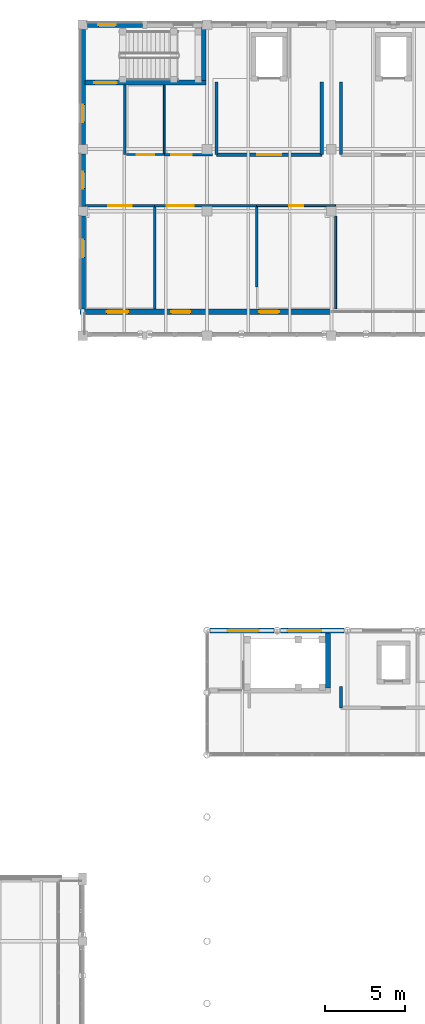
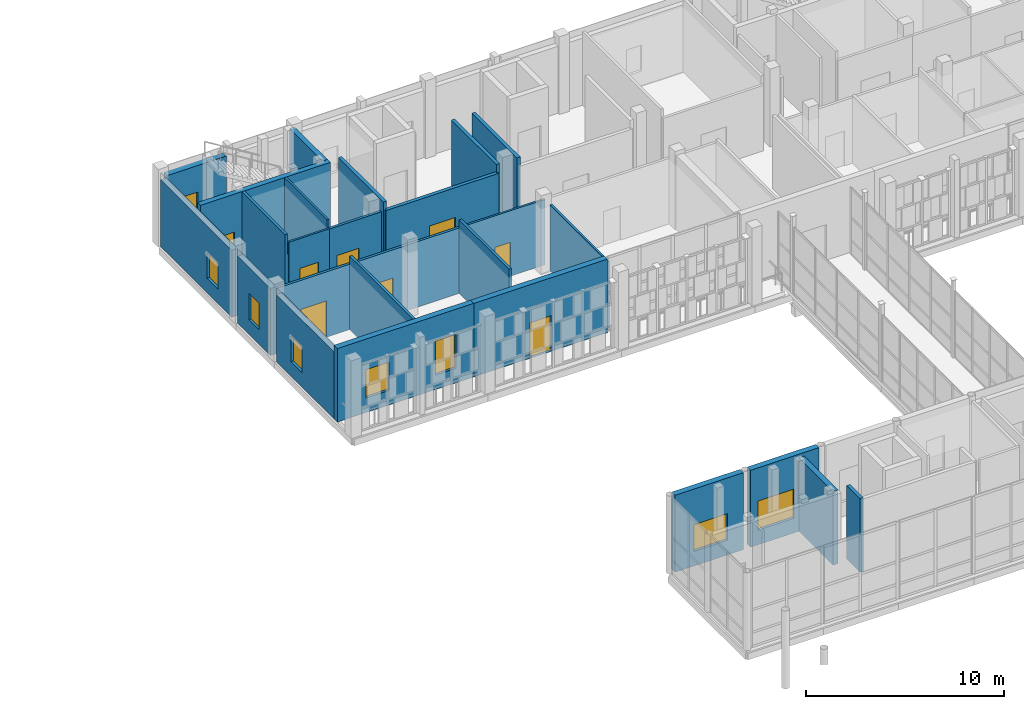
# One storey, part 106 of 138: 26 walls, 8 doors, 8 windows, 16 openings.
"""IFC4 building model written with IfcOpenShell, lengths in metres."""

from ifc_helpers import new_model, si_unit, direction, frame, frame_2d, origin, place, context, subcontext, project, spatial, rectangle, extrude, material, layer, layer_set, type_object, element, fill, save


model = new_model("IFC4")

# Units and contexts
model_context = context("Model", 3, precision=1e-05, world=origin(), true_north=direction((0.0, 1.0)))
body_context = subcontext(model_context, "Body", "Model", "MODEL_VIEW")
ifc_project = project(units=[si_unit("LENGTHUNIT", "METRE"), si_unit("AREAUNIT", "SQUARE_METRE"), si_unit("VOLUMEUNIT", "CUBIC_METRE"), si_unit("PLANEANGLEUNIT", "RADIAN"), si_unit("MASSUNIT", "GRAM", prefix="KILO")], contexts=[model_context])

# Site, building, storey
site_placement = place(None, origin())
site = spatial("IfcSite", under=ifc_project, at=site_placement, CompositionType="ELEMENT")
building_placement = place(site_placement, origin())
building = spatial("IfcBuilding", under=site, at=building_placement, Name="Celorna Specialist Clinic", CompositionType="ELEMENT")
storey_placement = place(building_placement, frame((0.0, 0.0, 4.800048828125)))
storey = spatial("IfcBuildingStorey", under=building, at=storey_placement, Name="L01", CompositionType="ELEMENT", Elevation=4.800048828125)

# Wall, opening, window
ifc_material_1 = material(Name="Pero Pinheiro Lioz limestone insulated masonry", Category="masonry")
ifc_layer_1 = layer(ifc_material_1, 0.340087890625, Name="Pero Pinheiro Lioz limestone insulated masonry")
ifc_layer_set_1 = layer_set([ifc_layer_1], Name="Pero Pinheiro Lioz limestone insulated masonry")
wall_type_1 = type_object("IfcWallType", Name="WT-07", PredefinedType="STANDARD", material=ifc_layer_set_1)
wall_1_placement = place(storey_placement, frame((54.80322265625, 78.0, 0.0), z_axis=(0.0, 0.0, 1.0), x_axis=(1.0, 0.0, 0.0)))
wall_1 = element("IfcWall", 1, at=wall_1_placement, inside=storey, type_object=wall_type_1, Name="External facade wall WT-07 #91", PredefinedType="STANDARD", context=body_context, shape_type="SweptSolid", body=[
    extrude(rectangle(XDim=3.99365234375, YDim=0.340087890625, at=frame_2d((1.996826171875, 0.0))), origin(), (0.0, 0.0, 1.0), 4.75),
])
opening_1_placement = place(wall_1_placement, frame((1.105224609375, 0.0, 0.89990234375)))
opening_1 = element("IfcOpeningElement", 2, at=opening_1_placement, cuts=wall_1, Name="Opening WN-15", PredefinedType="OPENING", context=body_context, shape_type="SweptSolid", body=[
    extrude(rectangle(XDim=1.949951171875, YDim=1.64990234375, at=frame_2d((0.97509765625, 0.824951171875))), frame((0.0, 0.179931640625, 0.0), z_axis=(0.0, -1.0, 0.0), x_axis=(1.0, 0.0, 0.0)), (0.0, 0.0, 1.0), 0.360107421875),
])
ifc_material_2 = material(Name="Screen-aligned modular clinic window")
window_type_1 = type_object("IfcWindowType", Name="WN-15", PartitioningType="SINGLE_PANEL", PredefinedType="WINDOW", material=ifc_material_2)
window_1_placement = place(opening_1_placement, origin())
window_1 = element("IfcWindow", 3, at=window_1_placement, inside=storey, type_object=window_type_1, Name="Facade window WN-15 #9", OverallHeight=1.64990234375, OverallWidth=1.949951171875, PartitioningType="SINGLE_PANEL", PredefinedType="WINDOW", context=body_context, shape_type="SweptSolid", body=[
    extrude(rectangle(XDim=1.949951171875, YDim=1.64990234375, at=frame_2d((0.97509765625, 0.824951171875))), frame((0.0, 0.030029296875, 0.0), z_axis=(0.0, -1.0, 0.0), x_axis=(1.0, 0.0, 0.0)), (0.0, 0.0, 1.0), 0.06005859375),
])
fill(opening_1, window_1)

wall_2_placement = place(storey_placement, frame((59.203125, 78.0, 0.0), z_axis=(0.0, 0.0, 1.0), x_axis=(1.0, 0.0, 0.0)))
wall_2 = element("IfcWall", 4, at=wall_2_placement, inside=storey, type_object=wall_type_1, Name="External facade wall WT-07 #92", PredefinedType="STANDARD", context=body_context, shape_type="SweptSolid", body=[
    extrude(rectangle(XDim=3.99365234375, YDim=0.340087890625, at=frame_2d((1.996826171875, 0.0))), origin(), (0.0, 0.0, 1.0), 4.75),
])
opening_2_placement = place(wall_2_placement, frame((0.453369140625, 0.0, 0.89990234375)))
opening_2 = element("IfcOpeningElement", 5, at=opening_2_placement, cuts=wall_2, Name="Opening WN-17", PredefinedType="OPENING", context=body_context, shape_type="SweptSolid", body=[
    extrude(rectangle(XDim=2.10009765625, YDim=1.800048828125, at=frame_2d((1.050048828125, 0.89990234375))), frame((0.0, 0.179931640625, 0.0), z_axis=(0.0, -1.0, 0.0), x_axis=(1.0, 0.0, 0.0)), (0.0, 0.0, 1.0), 0.360107421875),
])
ifc_material_3 = material(Name="Outpatient waiting bay window")
window_type_2 = type_object("IfcWindowType", Name="WN-17", PartitioningType="SINGLE_PANEL", PredefinedType="WINDOW", material=ifc_material_3)
window_2_placement = place(opening_2_placement, origin())
window_2 = element("IfcWindow", 6, at=window_2_placement, inside=storey, type_object=window_type_2, Name="Facade window WN-17 #10", OverallHeight=1.800048828125, OverallWidth=2.10009765625, PartitioningType="SINGLE_PANEL", PredefinedType="WINDOW", context=body_context, shape_type="SweptSolid", body=[
    extrude(rectangle(XDim=2.10009765625, YDim=1.800048828125, at=frame_2d((1.050048828125, 0.89990234375))), frame((0.0, 0.030029296875, 0.0), z_axis=(0.0, -1.0, 0.0), x_axis=(1.0, 0.0, 0.0)), (0.0, 0.0, 1.0), 0.06005859375),
])
fill(opening_2, window_2)

# Wall, openings, windows
wall_3_placement = place(storey_placement, frame((54.60009765625, 98.0, 0.0), z_axis=(0.0, 0.0, 1.0), x_axis=(-1.0, 0.0, 0.0)))
wall_3 = element("IfcWall", 7, at=wall_3_placement, inside=storey, type_object=wall_type_1, Name="External facade wall WT-07 #187", PredefinedType="STANDARD", context=body_context, shape_type="SweptSolid", body=[
    extrude(rectangle(XDim=7.97021484375, YDim=0.340087890625, at=frame_2d((3.985107421875, 0.0))), origin(), (0.0, 0.0, 1.0), 4.5400390625),
])
opening_3_placement = place(wall_3_placement, frame((1.050048828125, 0.0, 0.89990234375)))
opening_3 = element("IfcOpeningElement", 8, at=opening_3_placement, cuts=wall_3, Name="Opening WN-06", PredefinedType="OPENING", context=body_context, shape_type="SweptSolid", body=[
    extrude(rectangle(XDim=1.199951171875, YDim=2.10009765625, at=frame_2d((0.60009765625, 1.050048828125))), frame((0.0, 0.179931640625, 0.0), z_axis=(0.0, -1.0, 0.0), x_axis=(1.0, 0.0, 0.0)), (0.0, 0.0, 1.0), 0.360107421875),
])
opening_4_placement = place(wall_3_placement, frame((4.93994140625, 0.0, 0.89990234375)))
opening_4 = element("IfcOpeningElement", 9, at=opening_4_placement, cuts=wall_3, Name="Opening WN-07", PredefinedType="OPENING", context=body_context, shape_type="SweptSolid", body=[
    extrude(rectangle(XDim=1.35009765625, YDim=1.75, at=frame_2d((0.675048828125, 0.875))), frame((0.0, 0.179931640625, 0.0), z_axis=(0.0, -1.0, 0.0), x_axis=(1.0, 0.0, 0.0)), (0.0, 0.0, 1.0), 0.360107421875),
])
ifc_material_4 = material(Name="Thermally broken aluminium triple-glazed window", Category="aluminium")
window_type_3 = type_object("IfcWindowType", Name="WN-06", PartitioningType="SINGLE_PANEL", PredefinedType="WINDOW", material=ifc_material_4)
window_3_placement = place(opening_3_placement, origin())
window_3 = element("IfcWindow", 10, at=window_3_placement, inside=storey, type_object=window_type_3, Name="Facade window WN-06 #81", OverallHeight=2.10009765625, OverallWidth=1.199951171875, PartitioningType="SINGLE_PANEL", PredefinedType="WINDOW", context=body_context, shape_type="SweptSolid", body=[
    extrude(rectangle(XDim=1.199951171875, YDim=2.10009765625, at=frame_2d((0.60009765625, 1.050048828125))), frame((0.0, 0.030029296875, 0.0), z_axis=(0.0, -1.0, 0.0), x_axis=(1.0, 0.0, 0.0)), (0.0, 0.0, 1.0), 0.06005859375),
])
fill(opening_3, window_3)
window_type_4 = type_object("IfcWindowType", Name="WN-07", PartitioningType="SINGLE_PANEL", PredefinedType="WINDOW", material=ifc_material_4)
window_4_placement = place(opening_4_placement, origin())
window_4 = element("IfcWindow", 11, at=window_4_placement, inside=storey, type_object=window_type_4, Name="Facade window WN-07 #82", OverallHeight=1.75, OverallWidth=1.35009765625, PartitioningType="SINGLE_PANEL", PredefinedType="WINDOW", context=body_context, shape_type="SweptSolid", body=[
    extrude(rectangle(XDim=1.35009765625, YDim=1.75, at=frame_2d((0.675048828125, 0.875))), frame((0.0, 0.030029296875, 0.0), z_axis=(0.0, -1.0, 0.0), x_axis=(1.0, 0.0, 0.0)), (0.0, 0.0, 1.0), 0.06005859375),
])
fill(opening_4, window_4)

# Wall, opening, door
wall_4_placement = place(storey_placement, frame((62.39990234375, 98.0, 0.0), z_axis=(0.0, 0.0, 1.0), x_axis=(-1.0, 0.0, 0.0)))
wall_4 = element("IfcWall", 12, at=wall_4_placement, inside=storey, type_object=wall_type_1, Name="External facade wall WT-07 #188", PredefinedType="STANDARD", context=body_context, shape_type="SweptSolid", body=[
    extrude(rectangle(XDim=7.7998046875, YDim=0.340087890625, at=frame_2d((3.89990234375, 0.0))), origin(), (0.0, 0.0, 1.0), 4.5400390625),
])
opening_5_placement = place(wall_4_placement, frame((3.27490234375, 0.0, 0.0)))
opening_5 = element("IfcOpeningElement", 13, at=opening_5_placement, cuts=wall_4, Name="Opening DR-13", PredefinedType="OPENING", context=body_context, shape_type="SweptSolid", body=[
    extrude(rectangle(XDim=1.25, YDim=2.199951171875, at=frame_2d((0.625, 1.10009765625))), frame((0.0, 0.179931640625, 0.0), z_axis=(0.0, -1.0, 0.0), x_axis=(1.0, 0.0, 0.0)), (0.0, 0.0, 1.0), 0.360107421875),
])
ifc_material_5 = material(Name="Thermally broken glazed terrace door")
door_type_1 = type_object("IfcDoorType", Name="DR-13", OperationType="NOTDEFINED", PredefinedType="DOOR", material=ifc_material_5)
door_1_placement = place(opening_5_placement, frame((1.25, 0.0, 0.0), z_axis=(0.0, 0.0, 1.0), x_axis=(-1.0, 0.0, 0.0)))
door_1 = element("IfcDoor", 14, at=door_1_placement, inside=storey, type_object=door_type_1, Name="Terrace access door TER-V4-S1-L01", OperationType="SINGLE_SWING_RIGHT", OverallHeight=2.199951171875, OverallWidth=1.25, PredefinedType="DOOR", context=body_context, shape_type="SweptSolid", body=[
    extrude(rectangle(XDim=1.25, YDim=2.199951171875, at=frame_2d((0.625, 1.10009765625))), frame((0.0, 0.02490234375, 0.0), z_axis=(0.0, -1.0, 0.0), x_axis=(1.0, 0.0, 0.0)), (0.0, 0.0, 1.0), 0.050048828125),
])
fill(opening_5, door_1)

# Wall, opening, window
wall_5_placement = place(storey_placement, frame((47.10009765625, 116.0, 0.0), z_axis=(0.0, 0.0, 1.0), x_axis=(1.0, 0.0, 0.0)))
wall_5 = element("IfcWall", 15, at=wall_5_placement, inside=storey, type_object=wall_type_1, Name="External facade wall WT-07 #202", PredefinedType="STANDARD", context=body_context, shape_type="SweptSolid", body=[
    extrude(rectangle(XDim=3.449951171875, YDim=0.340087890625, at=frame_2d((1.72509765625, 0.0))), origin(), (0.0, 0.0, 1.0), 4.139892578125),
])
opening_6_placement = place(wall_5_placement, frame((0.68994140625, 0.0, 0.89990234375)))
opening_6 = element("IfcOpeningElement", 16, at=opening_6_placement, cuts=wall_5, Name="Opening WN-03", PredefinedType="OPENING", context=body_context, shape_type="SweptSolid", body=[
    extrude(rectangle(XDim=1.10009765625, YDim=1.60009765625, at=frame_2d((0.550048828125, 0.800048828125))), frame((0.0, 0.179931640625, 0.0), z_axis=(0.0, -1.0, 0.0), x_axis=(1.0, 0.0, 0.0)), (0.0, 0.0, 1.0), 0.360107421875),
])
window_type_5 = type_object("IfcWindowType", Name="WN-03", PartitioningType="SINGLE_PANEL", PredefinedType="WINDOW", material=ifc_material_4)
window_5_placement = place(opening_6_placement, origin())
window_5 = element("IfcWindow", 17, at=window_5_placement, inside=storey, type_object=window_type_5, Name="Facade window WN-03 #84", OverallHeight=1.60009765625, OverallWidth=1.10009765625, PartitioningType="SINGLE_PANEL", PredefinedType="WINDOW", context=body_context, shape_type="SweptSolid", body=[
    extrude(rectangle(XDim=1.10009765625, YDim=1.60009765625, at=frame_2d((0.550048828125, 0.800048828125))), frame((0.0, 0.030029296875, 0.0), z_axis=(0.0, -1.0, 0.0), x_axis=(1.0, 0.0, 0.0)), (0.0, 0.0, 1.0), 0.06005859375),
])
fill(opening_6, window_5)

wall_6_placement = place(storey_placement, frame((46.800048828125, 98.169921875, 0.0), z_axis=(0.0, 0.0, 1.0), x_axis=(0.0, 1.0, 0.0)))
wall_6 = element("IfcWall", 18, at=wall_6_placement, inside=storey, type_object=wall_type_1, Name="External facade wall WT-07 #224", PredefinedType="STANDARD", context=body_context, shape_type="SweptSolid", body=[
    extrude(rectangle(XDim=5.830078125, YDim=0.340087890625, at=frame_2d((2.9150390625, 0.0))), origin(), (0.0, 0.0, 1.0), 4.139892578125),
])
opening_7_placement = place(wall_6_placement, frame((3.2451171875, 0.0, 0.89990234375)))
opening_7 = element("IfcOpeningElement", 19, at=opening_7_placement, cuts=wall_6, Name="Opening WN-03", PredefinedType="OPENING", context=body_context, shape_type="SweptSolid", body=[
    extrude(rectangle(XDim=1.10009765625, YDim=1.60009765625, at=frame_2d((0.550048828125, 0.800048828125))), frame((0.0, 0.179931640625, 0.0), z_axis=(0.0, -1.0, 0.0), x_axis=(1.0, 0.0, 0.0)), (0.0, 0.0, 1.0), 0.360107421875),
])
window_6_placement = place(opening_7_placement, origin())
window_6 = element("IfcWindow", 20, at=window_6_placement, inside=storey, type_object=window_type_5, Name="Facade window WN-03 #104", OverallHeight=1.60009765625, OverallWidth=1.10009765625, PartitioningType="SINGLE_PANEL", PredefinedType="WINDOW", context=body_context, shape_type="SweptSolid", body=[
    extrude(rectangle(XDim=1.10009765625, YDim=1.60009765625, at=frame_2d((0.550048828125, 0.800048828125))), frame((0.0, 0.030029296875, 0.0), z_axis=(0.0, -1.0, 0.0), x_axis=(1.0, 0.0, 0.0)), (0.0, 0.0, 1.0), 0.06005859375),
])
fill(opening_7, window_6)

wall_7_placement = place(storey_placement, frame((46.800048828125, 104.60009765625, 0.0), z_axis=(0.0, 0.0, 1.0), x_axis=(0.0, 1.0, 0.0)))
wall_7 = element("IfcWall", 21, at=wall_7_placement, inside=storey, type_object=wall_type_1, Name="External facade wall WT-07 #225", PredefinedType="STANDARD", context=body_context, shape_type="SweptSolid", body=[
    extrude(rectangle(XDim=3.2998046875, YDim=0.340087890625, at=frame_2d((1.64990234375, 0.0))), origin(), (0.0, 0.0, 1.0), 4.139892578125),
])
opening_8_placement = place(wall_7_placement, frame((1.125, 0.0, 0.89990234375)))
opening_8 = element("IfcOpeningElement", 22, at=opening_8_placement, cuts=wall_7, Name="Opening WN-21", PredefinedType="OPENING", context=body_context, shape_type="SweptSolid", body=[
    extrude(rectangle(XDim=1.050048828125, YDim=1.64990234375, at=frame_2d((0.52490234375, 0.824951171875))), frame((0.0, 0.179931640625, 0.0), z_axis=(0.0, -1.0, 0.0), x_axis=(1.0, 0.0, 0.0)), (0.0, 0.0, 1.0), 0.360107421875),
])
window_type_6 = type_object("IfcWindowType", Name="WN-21", PartitioningType="SINGLE_PANEL", PredefinedType="WINDOW", material=ifc_material_4)
window_7_placement = place(opening_8_placement, origin())
window_7 = element("IfcWindow", 23, at=window_7_placement, inside=storey, type_object=window_type_6, Name="Facade window WN-21 #105", OverallHeight=1.64990234375, OverallWidth=1.050048828125, PartitioningType="SINGLE_PANEL", PredefinedType="WINDOW", context=body_context, shape_type="SweptSolid", body=[
    extrude(rectangle(XDim=1.050048828125, YDim=1.64990234375, at=frame_2d((0.52490234375, 0.824951171875))), frame((0.0, 0.030029296875, 0.0), z_axis=(0.0, -1.0, 0.0), x_axis=(1.0, 0.0, 0.0)), (0.0, 0.0, 1.0), 0.06005859375),
])
fill(opening_8, window_7)

wall_8_placement = place(storey_placement, frame((46.800048828125, 108.5, 0.0), z_axis=(0.0, 0.0, 1.0), x_axis=(0.0, 1.0, 0.0)))
wall_8 = element("IfcWall", 24, at=wall_8_placement, inside=storey, type_object=wall_type_1, Name="External facade wall WT-07 #226", PredefinedType="STANDARD", context=body_context, shape_type="SweptSolid", body=[
    extrude(rectangle(XDim=7.199951171875, YDim=0.340087890625, at=frame_2d((3.60009765625, 0.0))), origin(), (0.0, 0.0, 1.0), 4.139892578125),
])
opening_9_placement = place(wall_8_placement, frame((1.39501953125, 0.0, 0.89990234375)))
opening_9 = element("IfcOpeningElement", 25, at=opening_9_placement, cuts=wall_8, Name="Opening WN-03", PredefinedType="OPENING", context=body_context, shape_type="SweptSolid", body=[
    extrude(rectangle(XDim=1.10009765625, YDim=1.60009765625, at=frame_2d((0.550048828125, 0.800048828125))), frame((0.0, 0.179931640625, 0.0), z_axis=(0.0, -1.0, 0.0), x_axis=(1.0, 0.0, 0.0)), (0.0, 0.0, 1.0), 0.360107421875),
])
window_8_placement = place(opening_9_placement, origin())
window_8 = element("IfcWindow", 26, at=window_8_placement, inside=storey, type_object=window_type_5, Name="Facade window WN-03 #106", OverallHeight=1.60009765625, OverallWidth=1.10009765625, PartitioningType="SINGLE_PANEL", PredefinedType="WINDOW", context=body_context, shape_type="SweptSolid", body=[
    extrude(rectangle(XDim=1.10009765625, YDim=1.60009765625, at=frame_2d((0.550048828125, 0.800048828125))), frame((0.0, 0.030029296875, 0.0), z_axis=(0.0, -1.0, 0.0), x_axis=(1.0, 0.0, 0.0)), (0.0, 0.0, 1.0), 0.06005859375),
])
fill(opening_9, window_8)

# Wall, opening, door
ifc_material_6 = material(Name="Concrete C35/45", Category="concrete")
ifc_layer_2 = layer(ifc_material_6, 0.300048828125, Name="Concrete C35/45")
ifc_layer_set_2 = layer_set([ifc_layer_2], Name="Concrete C35/45")
wall_type_2 = type_object("IfcWallType", Name="WT-08", PredefinedType="SHEAR", material=ifc_layer_set_2)
wall_9_placement = place(storey_placement, frame((46.949951171875, 112.3701171875, 0.0), z_axis=(0.0, 0.0, 1.0), x_axis=(1.0, 0.0, 0.0)))
wall_9 = element("IfcWall", 27, at=wall_9_placement, inside=storey, type_object=wall_type_2, Name="Stair ST-01 RC core wall L01 south", PredefinedType="SHEAR", context=body_context, shape_type="SweptSolid", body=[
    extrude(rectangle(XDim=7.590087890625, YDim=0.300048828125, at=frame_2d((3.794921875, 0.0))), origin(), (0.0, 0.0, 1.0), 4.5400390625),
])
opening_10_placement = place(wall_9_placement, frame((0.590087890625, 0.0, 0.0)))
opening_10 = element("IfcOpeningElement", 28, at=opening_10_placement, cuts=wall_9, Name="Opening DR-10", PredefinedType="OPENING", context=body_context, shape_type="SweptSolid", body=[
    extrude(rectangle(XDim=1.39990234375, YDim=2.199951171875, at=frame_2d((0.699951171875, 1.10009765625))), frame((0.0, 0.159912109375, 0.0), z_axis=(0.0, -1.0, 0.0), x_axis=(1.0, 0.0, 0.0)), (0.0, 0.0, 1.0), 0.320068359375),
])
ifc_material_7 = material(Name="Protected exit stair fire door")
door_type_2 = type_object("IfcDoorType", Name="DR-10", OperationType="NOTDEFINED", PredefinedType="DOOR", material=ifc_material_7)
door_2_placement = place(opening_10_placement, origin())
door_2 = element("IfcDoor", 29, at=door_2_placement, inside=storey, type_object=door_type_2, Name="Protected exit stair door ST-01 L01", OperationType="SINGLE_SWING_RIGHT", OverallHeight=2.199951171875, OverallWidth=1.39990234375, PredefinedType="DOOR", context=body_context, shape_type="SweptSolid", body=[
    extrude(rectangle(XDim=1.39990234375, YDim=2.199951171875, at=frame_2d((0.699951171875, 1.10009765625))), frame((0.0, 0.02490234375, 0.0), z_axis=(0.0, -1.0, 0.0), x_axis=(1.0, 0.0, 0.0)), (0.0, 0.0, 1.0), 0.050048828125),
])
fill(opening_10, door_2)

# Walls
wall_10_placement = place(storey_placement, frame((54.389892578125, 112.52001953125, 0.0), z_axis=(0.0, 0.0, 1.0), x_axis=(0.0, 1.0, 0.0)))
element("IfcWall", 30, at=wall_10_placement, inside=storey, type_object=wall_type_2, Name="Stair ST-01 RC core wall L01 east", PredefinedType="SHEAR", context=body_context, shape_type="SweptSolid", body=[
    extrude(rectangle(XDim=3.330078125, YDim=0.300048828125, at=frame_2d((1.6650390625, 0.0))), origin(), (0.0, 0.0, 1.0), 4.5400390625),
])
wall_11_placement = place(storey_placement, frame((62.18994140625, 74.3798828125, 0.0), z_axis=(0.0, 0.0, 1.0), x_axis=(0.0, 1.0, 0.0)))
element("IfcWall", 31, at=wall_11_placement, inside=storey, type_object=wall_type_2, Name="Stair ST-10 RC core wall L01 east", PredefinedType="SHEAR", context=body_context, shape_type="SweptSolid", body=[
    extrude(rectangle(XDim=3.47021484375, YDim=0.300048828125, at=frame_2d((1.735107421875, 0.0))), origin(), (0.0, 0.0, 1.0), 4.5400390625),
])

# Wall, opening, door
ifc_layer_3 = layer(ifc_material_6, 0.199951171875, Name="Concrete C35/45")
ifc_layer_set_3 = layer_set([ifc_layer_3], Name="Concrete C35/45")
wall_type_3 = type_object("IfcWallType", Name="WT-12", PredefinedType="SOLIDWALL", material=ifc_layer_set_3)
wall_12_placement = place(storey_placement, frame((55.199951171875, 107.85009765625, 0.0), z_axis=(0.0, 0.0, 1.0), x_axis=(1.0, 0.0, 0.0)))
wall_12 = element("IfcWall", 32, at=wall_12_placement, inside=storey, type_object=wall_type_3, Name="Firefighting lobby wall LF-01 L01", PredefinedType="SOLIDWALL", context=body_context, shape_type="SweptSolid", body=[
    extrude(rectangle(XDim=6.60009765625, YDim=0.199951171875, at=frame_2d((3.300048828125, 0.0))), origin(), (0.0, 0.0, 1.0), 4.0400390625),
])
opening_11_placement = place(wall_12_placement, frame((2.550048828125, 0.0, 0.0)))
opening_11 = element("IfcOpeningElement", 33, at=opening_11_placement, cuts=wall_12, Name="Opening DR-11", PredefinedType="OPENING", context=body_context, shape_type="SweptSolid", body=[
    extrude(rectangle(XDim=1.5, YDim=2.199951171875, at=frame_2d((0.75, 1.10009765625))), frame((0.0, 0.10986328125, 0.0), z_axis=(0.0, -1.0, 0.0), x_axis=(1.0, 0.0, 0.0)), (0.0, 0.0, 1.0), 0.219970703125),
])
ifc_material_8 = material(Name="Firefighting lobby double fire door")
door_type_3 = type_object("IfcDoorType", Name="DR-11", OperationType="DOUBLE_DOOR_SINGLE_SWING", PredefinedType="DOOR", material=ifc_material_8)
door_3_placement = place(opening_11_placement, origin())
door_3 = element("IfcDoor", 34, at=door_3_placement, inside=storey, type_object=door_type_3, Name="Firefighting lobby fire door LF-01 L01", OperationType="DOUBLE_DOOR_SINGLE_SWING", OverallHeight=2.199951171875, OverallWidth=1.5, PredefinedType="DOOR", context=body_context, shape_type="SweptSolid", body=[
    extrude(rectangle(XDim=1.5, YDim=2.199951171875, at=frame_2d((0.75, 1.10009765625))), frame((0.0, 0.02490234375, 0.0), z_axis=(0.0, -1.0, 0.0), x_axis=(1.0, 0.0, 0.0)), (0.0, 0.0, 1.0), 0.050048828125),
])
fill(opening_11, door_3)

# Walls
for number, where, z_axis, x_axis, name in (
    (35, (55.199951171875, 112.39990234375, 0.0), (0.0, 0.0, 1.0), (0.0, -1.0, 0.0), "Firefighting lobby wall LF-01 L01"),
    (36, (61.800048828125, 107.85009765625, 0.0), (0.0, 0.0, 1.0), (0.0, 1.0, 0.0), "Firefighting lobby wall LF-01 L01"),
    (37, (63.0, 112.39990234375, 0.0), (0.0, 0.0, 1.0), (0.0, -1.0, 0.0), "Firefighting lobby wall LF-02 L01"),
):
    element("IfcWall", number, at=place(storey_placement, frame(where, z_axis=z_axis, x_axis=x_axis)), inside=storey, type_object=wall_type_3, Name=name, PredefinedType="SOLIDWALL", context=body_context, shape_type="SweptSolid", body=[
        extrude(rectangle(XDim=4.5498046875, YDim=0.199951171875, at=frame_2d((2.27490234375, 0.0))), origin(), (0.0, 0.0, 1.0), 4.5400390625),
    ])
wall_13_placement = place(storey_placement, frame((63.0, 74.5, 0.0), z_axis=(0.0, 0.0, 1.0), x_axis=(0.0, -1.0, 0.0)))
element("IfcWall", 38, at=wall_13_placement, inside=storey, type_object=wall_type_3, Name="Lift lobby wall LF-08 L01", PredefinedType="SOLIDWALL", context=body_context, shape_type="SweptSolid", body=[
    extrude(rectangle(XDim=1.35009765625, YDim=0.199951171875, at=frame_2d((0.675048828125, 0.0))), origin(), (0.0, 0.0, 1.0), 4.5400390625),
])
ifc_material_9 = material(Name="Fire-rated gypsum board partition")
ifc_layer_4 = layer(ifc_material_9, 0.14990234375, Name="Fire-rated gypsum board partition")
ifc_layer_set_4 = layer_set([ifc_layer_4], Name="Fire-rated gypsum board partition")
wall_type_4 = type_object("IfcWallType", Name="WT-14", PredefinedType="PARTITIONING", material=ifc_layer_set_4)
wall_14_placement = place(storey_placement, frame((49.43994140625, 107.85009765625, 0.0), z_axis=(0.0, 0.0, 1.0), x_axis=(0.0, 1.0, 0.0)))
element("IfcWall", 39, at=wall_14_placement, inside=storey, type_object=wall_type_4, Name="Corridor spur partition WT-14", PredefinedType="PARTITIONING", context=body_context, shape_type="SweptSolid", body=[
    extrude(rectangle(XDim=4.369873046875, YDim=0.14990234375, at=frame_2d((2.18505859375, 0.0))), origin(), (0.0, 0.0, 1.0), 4.5400390625),
])

# Wall, opening, door
wall_15_placement = place(storey_placement, frame((51.320068359375, 104.64990234375, 0.0), z_axis=(0.0, 0.0, 1.0), x_axis=(-1.0, 0.0, 0.0)))
wall_15 = element("IfcWall", 40, at=wall_15_placement, inside=storey, type_object=wall_type_4, Name="Interior partition WT-14 L01-052", PredefinedType="PARTITIONING", context=body_context, shape_type="SweptSolid", body=[
    extrude(rectangle(XDim=4.35009765625, YDim=0.14990234375, at=frame_2d((2.175048828125, 0.0))), origin(), (0.0, 0.0, 1.0), 4.0400390625),
])
opening_12_placement = place(wall_15_placement, frame((1.43505859375, 0.0, 0.0)))
opening_12 = element("IfcOpeningElement", 41, at=opening_12_placement, cuts=wall_15, Name="Opening DR-23", PredefinedType="OPENING", context=body_context, shape_type="SweptSolid", body=[
    extrude(rectangle(XDim=1.47998046875, YDim=2.25, at=frame_2d((0.739990234375, 1.125))), frame((0.0, 0.0849609375, 0.0), z_axis=(0.0, -1.0, 0.0), x_axis=(1.0, 0.0, 0.0)), (0.0, 0.0, 1.0), 0.169921875),
])
ifc_material_10 = material(Name="Double leaf treatment room door")
door_type_4 = type_object("IfcDoorType", Name="DR-23", OperationType="DOUBLE_DOOR_SINGLE_SWING", PredefinedType="DOOR", material=ifc_material_10)
door_4_placement = place(opening_12_placement, origin())
door_4 = element("IfcDoor", 42, at=door_4_placement, inside=storey, type_object=door_type_4, Name="Outpatient Clinic door L01-052", OperationType="DOUBLE_DOOR_SINGLE_SWING", OverallHeight=2.25, OverallWidth=1.47998046875, PredefinedType="DOOR", context=body_context, shape_type="SweptSolid", body=[
    extrude(rectangle(XDim=1.47998046875, YDim=2.25, at=frame_2d((0.739990234375, 1.125))), frame((0.0, 0.02490234375, 0.0), z_axis=(0.0, -1.0, 0.0), x_axis=(1.0, 0.0, 0.0)), (0.0, 0.0, 1.0), 0.050048828125),
])
fill(opening_12, door_4)

wall_16_placement = place(storey_placement, frame((57.719970703125, 104.64990234375, 0.0), z_axis=(0.0, 0.0, 1.0), x_axis=(-1.0, 0.0, 0.0)))
wall_16 = element("IfcWall", 43, at=wall_16_placement, inside=storey, type_object=wall_type_4, Name="Interior partition WT-14 L01-053", PredefinedType="PARTITIONING", context=body_context, shape_type="SweptSolid", body=[
    extrude(rectangle(XDim=6.39990234375, YDim=0.14990234375, at=frame_2d((3.199951171875, 0.0))), origin(), (0.0, 0.0, 1.0), 4.0400390625),
])
opening_13_placement = place(wall_16_placement, frame((3.93994140625, 0.0, 0.0)))
opening_13 = element("IfcOpeningElement", 44, at=opening_13_placement, cuts=wall_16, Name="Opening DR-24", PredefinedType="OPENING", context=body_context, shape_type="SweptSolid", body=[
    extrude(rectangle(XDim=1.719970703125, YDim=2.300048828125, at=frame_2d((0.85986328125, 1.14990234375))), frame((0.0, 0.0849609375, 0.0), z_axis=(0.0, -1.0, 0.0), x_axis=(1.0, 0.0, 0.0)), (0.0, 0.0, 1.0), 0.169921875),
])
ifc_material_11 = material(Name="Double leaf clinical waiting door")
door_type_5 = type_object("IfcDoorType", Name="DR-24", OperationType="DOUBLE_DOOR_SINGLE_SWING", PredefinedType="DOOR", material=ifc_material_11)
door_5_placement = place(opening_13_placement, origin())
door_5 = element("IfcDoor", 45, at=door_5_placement, inside=storey, type_object=door_type_5, Name="Consulting Room door L01-053", OperationType="DOUBLE_DOOR_SINGLE_SWING", OverallHeight=2.300048828125, OverallWidth=1.719970703125, PredefinedType="DOOR", context=body_context, shape_type="SweptSolid", body=[
    extrude(rectangle(XDim=1.719970703125, YDim=2.300048828125, at=frame_2d((0.85986328125, 1.14990234375))), frame((0.0, 0.02490234375, 0.0), z_axis=(0.0, -1.0, 0.0), x_axis=(1.0, 0.0, 0.0)), (0.0, 0.0, 1.0), 0.050048828125),
])
fill(opening_13, door_5)

wall_17_placement = place(storey_placement, frame((51.919921875, 107.85009765625, 0.0), z_axis=(0.0, 0.0, 1.0), x_axis=(1.0, 0.0, 0.0)))
wall_17 = element("IfcWall", 46, at=wall_17_placement, inside=storey, type_object=wall_type_4, Name="Interior partition WT-14 L01-075", PredefinedType="PARTITIONING", context=body_context, shape_type="SweptSolid", body=[
    extrude(rectangle(XDim=3.030029296875, YDim=0.14990234375, at=frame_2d((1.51513671875, 0.0))), origin(), (0.0, 0.0, 1.0), 4.0400390625),
])
opening_14_placement = place(wall_17_placement, frame((0.427490234375, 0.0, 0.0)))
opening_14 = element("IfcOpeningElement", 47, at=opening_14_placement, cuts=wall_17, Name="Opening DR-22", PredefinedType="OPENING", context=body_context, shape_type="SweptSolid", body=[
    extrude(rectangle(XDim=1.280029296875, YDim=2.25, at=frame_2d((0.64013671875, 1.125))), frame((0.0, 0.0849609375, 0.0), z_axis=(0.0, -1.0, 0.0), x_axis=(1.0, 0.0, 0.0)), (0.0, 0.0, 1.0), 0.169921875),
])
ifc_material_12 = material(Name="Diagnostic procedure room door")
door_type_6 = type_object("IfcDoorType", Name="DR-22", OperationType="NOTDEFINED", PredefinedType="DOOR", material=ifc_material_12)
door_6_placement = place(opening_14_placement, origin())
door_6 = element("IfcDoor", 48, at=door_6_placement, inside=storey, type_object=door_type_6, Name="Pulmonary Function Testing Suite door L01-075", OperationType="SINGLE_SWING_LEFT", OverallHeight=2.25, OverallWidth=1.280029296875, PredefinedType="DOOR", context=body_context, shape_type="SweptSolid", body=[
    extrude(rectangle(XDim=1.280029296875, YDim=2.25, at=frame_2d((0.64013671875, 1.125))), frame((0.0, 0.02490234375, 0.0), z_axis=(0.0, -1.0, 0.0), x_axis=(1.0, 0.0, 0.0)), (0.0, 0.0, 1.0), 0.050048828125),
])
fill(opening_14, door_6)

# Walls
wall_18_placement = place(storey_placement, frame((51.320068359375, 98.169921875, 0.0), z_axis=(0.0, 0.0, 1.0), x_axis=(0.0, 1.0, 0.0)))
element("IfcWall", 49, at=wall_18_placement, inside=storey, type_object=wall_type_4, Name="Room dividing partition WT-14 L01-052", PredefinedType="PARTITIONING", context=body_context, shape_type="SweptSolid", body=[
    extrude(rectangle(XDim=6.405029296875, YDim=0.14990234375, at=frame_2d((3.20263671875, 0.0))), origin(), (0.0, 0.0, 1.0), 4.5400390625),
])
wall_19_placement = place(storey_placement, frame((57.719970703125, 99.550048828125, 0.0), z_axis=(0.0, 0.0, 1.0), x_axis=(0.0, 1.0, 0.0)))
element("IfcWall", 50, at=wall_19_placement, inside=storey, type_object=wall_type_4, Name="Room dividing partition WT-14 L01-053", PredefinedType="PARTITIONING", context=body_context, shape_type="SweptSolid", body=[
    extrude(rectangle(XDim=5.02490234375, YDim=0.14990234375, at=frame_2d((2.512451171875, 0.0))), origin(), (0.0, 0.0, 1.0), 4.5400390625),
])

# Wall, opening, door
ifc_material_13 = material(Name="Acoustic gypsum board partition")
ifc_layer_5 = layer(ifc_material_13, 0.1201171875, Name="Acoustic gypsum board partition")
ifc_layer_set_5 = layer_set([ifc_layer_5], Name="Acoustic gypsum board partition")
wall_type_5 = type_object("IfcWallType", Name="WT-15", PredefinedType="PARTITIONING", material=ifc_layer_set_5)
wall_20_placement = place(storey_placement, frame((62.669921875, 104.64990234375, 0.0), z_axis=(0.0, 0.0, 1.0), x_axis=(-1.0, 0.0, 0.0)))
wall_20 = element("IfcWall", 51, at=wall_20_placement, inside=storey, type_object=wall_type_5, Name="Interior partition WT-15 L01-054", PredefinedType="PARTITIONING", context=body_context, shape_type="SweptSolid", body=[
    extrude(rectangle(XDim=4.949951171875, YDim=0.1201171875, at=frame_2d((2.47509765625, 0.0))), origin(), (0.0, 0.0, 1.0), 4.0400390625),
])
opening_15_placement = place(wall_20_placement, frame((2.02490234375, 0.0, 0.0)))
opening_15 = element("IfcOpeningElement", 52, at=opening_15_placement, cuts=wall_20, Name="Opening DR-02", PredefinedType="OPENING", context=body_context, shape_type="SweptSolid", body=[
    extrude(rectangle(XDim=0.89990234375, YDim=2.10009765625, at=frame_2d((0.449951171875, 1.050048828125))), frame((0.0, 0.070068359375, 0.0), z_axis=(0.0, -1.0, 0.0), x_axis=(1.0, 0.0, 0.0)), (0.0, 0.0, 1.0), 0.14013671875),
])
ifc_material_14 = material(Name="Timber acoustic clinical door", Category="wood")
door_type_7 = type_object("IfcDoorType", Name="DR-02", OperationType="NOTDEFINED", PredefinedType="DOOR", material=ifc_material_14)
door_7_placement = place(opening_15_placement, origin())
door_7 = element("IfcDoor", 53, at=door_7_placement, inside=storey, type_object=door_type_7, Name="Audiology and ENT Examination Room door L01-054", OperationType="SINGLE_SWING_RIGHT", OverallHeight=2.10009765625, OverallWidth=0.89990234375, PredefinedType="DOOR", context=body_context, shape_type="SweptSolid", body=[
    extrude(rectangle(XDim=0.89990234375, YDim=2.10009765625, at=frame_2d((0.449951171875, 1.050048828125))), frame((0.0, 0.02490234375, 0.0), z_axis=(0.0, -1.0, 0.0), x_axis=(1.0, 0.0, 0.0)), (0.0, 0.0, 1.0), 0.050048828125),
])
fill(opening_15, door_7)

wall_21_placement = place(storey_placement, frame((49.56005859375, 107.85009765625, 0.0), z_axis=(0.0, 0.0, 1.0), x_axis=(1.0, 0.0, 0.0)))
wall_21 = element("IfcWall", 54, at=wall_21_placement, inside=storey, type_object=wall_type_5, Name="Interior partition WT-15 L01-074", PredefinedType="PARTITIONING", context=body_context, shape_type="SweptSolid", body=[
    extrude(rectangle(XDim=2.35986328125, YDim=0.1201171875, at=frame_2d((1.179931640625, 0.0))), origin(), (0.0, 0.0, 1.0), 4.0400390625),
])
opening_16_placement = place(wall_21_placement, frame((0.639892578125, 0.0, 0.0)))
opening_16 = element("IfcOpeningElement", 55, at=opening_16_placement, cuts=wall_21, Name="Opening DR-21", PredefinedType="OPENING", context=body_context, shape_type="SweptSolid", body=[
    extrude(rectangle(XDim=1.080078125, YDim=2.199951171875, at=frame_2d((0.5400390625, 1.10009765625))), frame((0.0, 0.070068359375, 0.0), z_axis=(0.0, -1.0, 0.0), x_axis=(1.0, 0.0, 0.0)), (0.0, 0.0, 1.0), 0.14013671875),
])
ifc_material_15 = material(Name="Timber outpatient suite door", Category="wood")
door_type_8 = type_object("IfcDoorType", Name="DR-21", OperationType="NOTDEFINED", PredefinedType="DOOR", material=ifc_material_15)
door_8_placement = place(opening_16_placement, origin())
door_8 = element("IfcDoor", 56, at=door_8_placement, inside=storey, type_object=door_type_8, Name="Audiology and ENT Examination Room door L01-074", OperationType="SINGLE_SWING_RIGHT", OverallHeight=2.199951171875, OverallWidth=1.080078125, PredefinedType="DOOR", context=body_context, shape_type="SweptSolid", body=[
    extrude(rectangle(XDim=1.080078125, YDim=2.199951171875, at=frame_2d((0.5400390625, 1.10009765625))), frame((0.0, 0.02490234375, 0.0), z_axis=(0.0, -1.0, 0.0), x_axis=(1.0, 0.0, 0.0)), (0.0, 0.0, 1.0), 0.050048828125),
])
fill(opening_16, door_8)

# Walls
wall_22_placement = place(storey_placement, frame((62.669921875, 98.169921875, 0.0), z_axis=(0.0, 0.0, 1.0), x_axis=(0.0, 1.0, 0.0)))
element("IfcWall", 57, at=wall_22_placement, inside=storey, type_object=wall_type_5, Name="Room dividing partition WT-15 L01-054", PredefinedType="PARTITIONING", context=body_context, shape_type="SweptSolid", body=[
    extrude(rectangle(XDim=5.830078125, YDim=0.1201171875, at=frame_2d((2.9150390625, 0.0))), origin(), (0.0, 0.0, 1.0), 4.08984375),
])
wall_23_placement = place(storey_placement, frame((51.919921875, 107.925048828125, 0.0), z_axis=(0.0, 0.0, 1.0), x_axis=(0.0, 1.0, 0.0)))
element("IfcWall", 58, at=wall_23_placement, inside=storey, type_object=wall_type_5, Name="Room dividing partition WT-15 L01-074", PredefinedType="PARTITIONING", context=body_context, shape_type="SweptSolid", body=[
    extrude(rectangle(XDim=4.294921875, YDim=0.1201171875, at=frame_2d((2.1474609375, 0.0))), origin(), (0.0, 0.0, 1.0), 4.5400390625),
])

save(model, "model.ifc")
